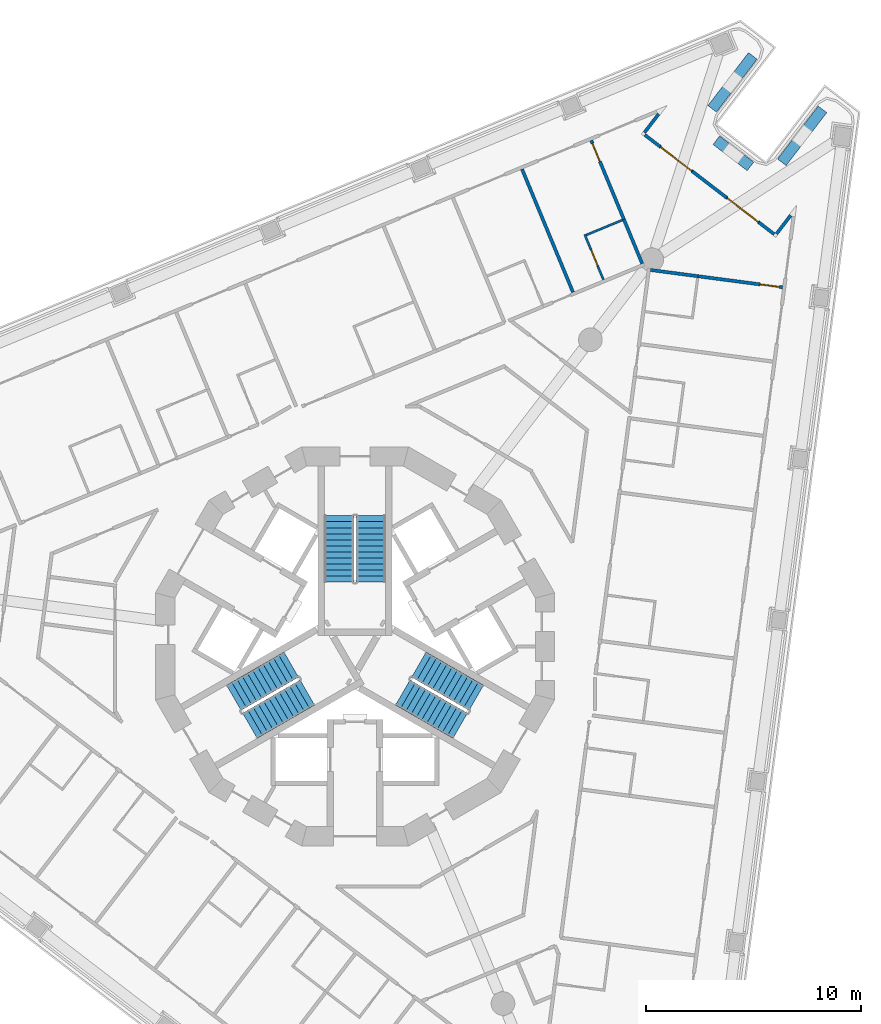
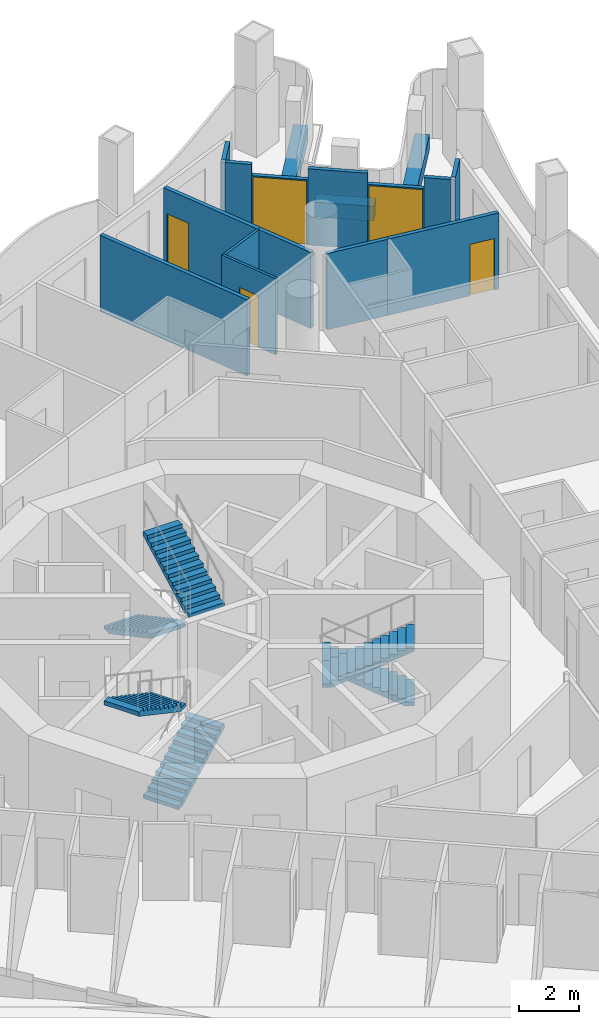
# One storey, part 10 of 17: 17 walls, 6 stair flights, 5 doors, 5 openings, 3 elements without a shape of their own.
"""IFC4 building model written with IfcOpenShell, lengths in metres."""

from ifc_helpers import new_model, si_unit, direction, frame, frame_2d, origin, place, context, subcontext, project, spatial, polyline, rectangle, outline, extrude, material, layer, layer_set, type_object, element, fill, aggregate, save


model = new_model("IFC4")

# Units and contexts
model_context = context("Model", 3, precision=1e-05, world=origin(), true_north=direction((0.0, 1.0)))
body_context = subcontext(model_context, "Body", "Model", "MODEL_VIEW")
ifc_project = project(units=[si_unit("LENGTHUNIT", "METRE"), si_unit("AREAUNIT", "SQUARE_METRE"), si_unit("VOLUMEUNIT", "CUBIC_METRE"), si_unit("PLANEANGLEUNIT", "RADIAN"), si_unit("MASSUNIT", "GRAM", prefix="KILO")], contexts=[model_context])

# Site, building, storey
site_placement = place(None, origin())
site = spatial("IfcSite", under=ifc_project, at=site_placement, CompositionType="ELEMENT")
building_placement = place(site_placement, origin())
building = spatial("IfcBuilding", under=site, at=building_placement, Name="Trine Commons Tower", CompositionType="ELEMENT")
storey_placement = place(building_placement, frame((0.0, 0.0, 153.0)))
storey = spatial("IfcBuildingStorey", under=building, at=storey_placement, Name="L39", CompositionType="ELEMENT", Elevation=153.0)

# Walls
ifc_material_1 = material(Name="Aluminium-framed insulated wall panel", Category="aluminium")
ifc_layer_1 = layer(ifc_material_1, 0.14990234375)
ifc_layer_set_1 = layer_set([ifc_layer_1], Name="Aluminium-framed insulated wall panel")
wall_type_1 = type_object("IfcWallType", Name="Glazed frame wall 150, EI 60", PredefinedType="SOLIDWALL", material=ifc_layer_set_1)
wall_1_placement = place(storey_placement, frame((94.193115234375, 87.345703125, 0.0), z_axis=(0.0, 0.0, 1.0), x_axis=(-0.608762998157, -0.793352136239, 0.0)))
element("IfcWall", 1, at=wall_1_placement, inside=storey, type_object=wall_type_1, Name="Glazed frame wall R5", PredefinedType="SOLIDWALL", context=body_context, shape_type="SweptSolid", body=[
    extrude(outline(polyline([(0.1494140625, 0.074951171875), (0.1494140625, -0.074951171875), (1.235107421875, -0.074951171875), (1.235107421875, 0.074951171875), (0.1494140625, 0.074951171875)])), origin(), (0.0, 0.0, 1.0), 3.10009765625),
])
wall_2_placement = place(storey_placement, frame((93.36767578125, 86.32763671875, 0.0), z_axis=(0.0, 0.0, 1.0), x_axis=(0.793331259853, -0.608790203715, 0.0)))
element("IfcWall", 2, at=wall_2_placement, inside=storey, type_object=wall_type_1, Name="Glazed frame wall P2.1", PredefinedType="SOLIDWALL", context=body_context, shape_type="SweptSolid", body=[
    extrude(outline(polyline([(0.110107421875, -0.074951171875), (1.0, -0.074951171875), (1.0, 0.074951171875), (0.110107421875, 0.074951171875), (0.110107421875, -0.074951171875)])), origin(), (0.0, 0.0, 1.0), 3.10009765625),
])

# Wall, opening, door
wall_3_placement = place(storey_placement, frame((94.1611328125, 85.71875, 0.0), z_axis=(0.0, 0.0, 1.0), x_axis=(0.793382932281, -0.608722862036, 0.0)))
wall_3 = element("IfcWall", 3, at=wall_3_placement, inside=storey, type_object=wall_type_1, Name="Glazed frame wall P2.2", PredefinedType="SOLIDWALL", context=body_context, shape_type="SweptSolid", body=[
    extrude(outline(polyline([(0.0, -0.074951171875), (1.89990234375, -0.074951171875), (1.89990234375, 0.074951171875), (0.0, 0.074951171875), (0.0, -0.074951171875)])), origin(), (0.0, 0.0, 1.0), 2.64990234375),
])
opening_1_placement = place(wall_3_placement, frame((0.050048828125, 0.0, 0.0)))
opening_1 = element("IfcOpeningElement", 4, at=opening_1_placement, cuts=wall_3, Name="Opening BD-4P2-01", PredefinedType="OPENING", context=body_context, shape_type="SweptSolid", body=[
    extrude(rectangle(XDim=1.800048828125, YDim=2.60009765625, at=frame_2d((0.89990234375, 1.300048828125))), frame((0.0, 0.0849609375, 0.0), z_axis=(0.0, -1.0, 0.0), x_axis=(1.0, 0.0, 0.0)), (0.0, 0.0, 1.0), 0.169921875),
])
ifc_material_2 = material(Name="Anodised aluminium frame with double glazing", Category="aluminium")
door_type_1 = type_object("IfcDoorType", Name="Sliding loggia door 1800x2600", OperationType="SLIDING_TO_LEFT", PredefinedType="DOOR", material=ifc_material_2)
door_1_placement = place(opening_1_placement, origin())
door_1 = element("IfcDoor", 5, at=door_1_placement, inside=storey, type_object=door_type_1, Name="Loggia door P2 1", OperationType="SLIDING_TO_LEFT", OverallHeight=2.60009765625, OverallWidth=1.800048828125, PredefinedType="DOOR", context=body_context, shape_type="SweptSolid", body=[
    extrude(rectangle(XDim=1.800048828125, YDim=2.60009765625, at=frame_2d((0.89990234375, 1.300048828125))), frame((0.0, 0.02490234375, 0.0), z_axis=(0.0, -1.0, 0.0), x_axis=(1.0, 0.0, 0.0)), (0.0, 0.0, 1.0), 0.050048828125),
])
fill(opening_1, door_1)

# Wall
wall_4_placement = place(storey_placement, frame((95.66845703125, 84.562255859375, 0.0), z_axis=(0.0, 0.0, 1.0), x_axis=(0.793344974033, -0.608772331974, 0.0)))
element("IfcWall", 6, at=wall_4_placement, inside=storey, type_object=wall_type_1, Name="Glazed frame wall P2.3", PredefinedType="SOLIDWALL", context=body_context, shape_type="SweptSolid", body=[
    extrude(outline(polyline([(0.0, -0.074951171875), (2.0, -0.074951171875), (2.0, 0.074951171875), (0.0, 0.074951171875), (0.0, -0.074951171875)])), origin(), (0.0, 0.0, 1.0), 3.10009765625),
])

# Wall, opening, door
wall_5_placement = place(storey_placement, frame((97.255126953125, 83.3447265625, 0.0), z_axis=(0.0, 0.0, 1.0), x_axis=(0.793320872023, -0.608803740143, 0.0)))
wall_5 = element("IfcWall", 7, at=wall_5_placement, inside=storey, type_object=wall_type_1, Name="Glazed frame wall P2.4", PredefinedType="SOLIDWALL", context=body_context, shape_type="SweptSolid", body=[
    extrude(outline(polyline([(0.0, -0.074951171875), (1.89990234375, -0.074951171875), (1.89990234375, 0.074951171875), (0.0, 0.074951171875), (0.0, -0.074951171875)])), origin(), (0.0, 0.0, 1.0), 2.64990234375),
])
opening_2_placement = place(wall_5_placement, frame((0.050048828125, 0.0, 0.0)))
opening_2 = element("IfcOpeningElement", 8, at=opening_2_placement, cuts=wall_5, Name="Opening BD-4P2-02", PredefinedType="OPENING", context=body_context, shape_type="SweptSolid", body=[
    extrude(rectangle(XDim=1.800048828125, YDim=2.60009765625, at=frame_2d((0.89990234375, 1.300048828125))), frame((0.0, 0.0849609375, 0.0), z_axis=(0.0, -1.0, 0.0), x_axis=(1.0, 0.0, 0.0)), (0.0, 0.0, 1.0), 0.169921875),
])
door_2_placement = place(opening_2_placement, origin())
door_2 = element("IfcDoor", 9, at=door_2_placement, inside=storey, type_object=door_type_1, Name="Loggia door P2 2", OperationType="SLIDING_TO_LEFT", OverallHeight=2.60009765625, OverallWidth=1.800048828125, PredefinedType="DOOR", context=body_context, shape_type="SweptSolid", body=[
    extrude(rectangle(XDim=1.800048828125, YDim=2.60009765625, at=frame_2d((0.89990234375, 1.300048828125))), frame((0.0, 0.02490234375, 0.0), z_axis=(0.0, -1.0, 0.0), x_axis=(1.0, 0.0, 0.0)), (0.0, 0.0, 1.0), 0.050048828125),
])
fill(opening_2, door_2)

# Walls
wall_6_placement = place(storey_placement, frame((98.762451171875, 82.18798828125, 0.0), z_axis=(0.0, 0.0, 1.0), x_axis=(0.793449156962, -0.60863653794, 0.0)))
element("IfcWall", 10, at=wall_6_placement, inside=storey, type_object=wall_type_1, Name="Glazed frame wall P2.5", PredefinedType="SOLIDWALL", context=body_context, shape_type="SweptSolid", body=[
    extrude(outline(polyline([(0.889892578125, 0.074951171875), (0.0, 0.074951171875), (0.0, -0.074951171875), (0.889892578125, -0.074951171875), (0.889892578125, 0.074951171875)])), origin(), (0.0, 0.0, 1.0), 3.10009765625),
])
wall_7_placement = place(storey_placement, frame((99.5068359375, 81.57275390625, 0.0), z_axis=(0.0, 0.0, 1.0), x_axis=(0.608762998157, 0.793352136239, 0.0)))
element("IfcWall", 11, at=wall_7_placement, inside=storey, type_object=wall_type_1, Name="Glazed frame wall R7", PredefinedType="SOLIDWALL", context=body_context, shape_type="SweptSolid", body=[
    extrude(outline(polyline([(0.110107421875, 0.074951171875), (0.110107421875, -0.074951171875), (1.19580078125, -0.074951171875), (1.19580078125, 0.074951171875), (0.110107421875, 0.074951171875)])), origin(), (0.0, 0.0, 1.0), 3.10009765625),
])
ifc_material_3 = material(Name="Planter trough, precast concrete C40/50", Category="concrete")
ifc_layer_2 = layer(ifc_material_3, 0.5)
ifc_layer_set_2 = layer_set([ifc_layer_2], Name="Planter trough, precast concrete C40/50")
wall_type_2 = type_object("IfcWallType", Name="Planter trough 500x600", PredefinedType="PARAPET", material=ifc_layer_set_2)
wall_8_placement = place(storey_placement, frame((98.474609375, 89.927490234375, 0.0), z_axis=(0.0, 0.0, 1.0), x_axis=(-0.608796883945, -0.793326133503, 0.0)))
element("IfcWall", 12, at=wall_8_placement, inside=storey, type_object=wall_type_2, Name="Planter 4", PredefinedType="PARAPET", context=body_context, shape_type="SweptSolid", body=[
    extrude(rectangle(XDim=3.099853515625, YDim=0.5, at=frame_2d((1.5498046875, 0.0))), origin(), (0.0, 0.0, 1.0), 0.60009765625),
])
wall_9_placement = place(storey_placement, frame((96.779296875, 86.010009765625, 0.0), z_axis=(0.0, 0.0, 1.0), x_axis=(0.793390207748, -0.608713379391, 0.0)))
element("IfcWall", 13, at=wall_9_placement, inside=storey, type_object=wall_type_2, Name="Planter 5", PredefinedType="PARAPET", context=body_context, shape_type="SweptSolid", body=[
    extrude(rectangle(XDim=2.000244140625, YDim=0.5, at=frame_2d((1.0, 0.0))), origin(), (0.0, 0.0, 1.0), 0.60009765625),
])
wall_10_placement = place(storey_placement, frame((99.82421875, 84.984619140625, 0.0), z_axis=(0.0, 0.0, 1.0), x_axis=(0.608796883945, 0.793326133503, 0.0)))
element("IfcWall", 14, at=wall_10_placement, inside=storey, type_object=wall_type_2, Name="Planter 6", PredefinedType="PARAPET", context=body_context, shape_type="SweptSolid", body=[
    extrude(rectangle(XDim=3.099853515625, YDim=0.5, at=frame_2d((1.5498046875, 0.0))), origin(), (0.0, 0.0, 1.0), 0.60009765625),
])
ifc_material_4 = material(Name="Gypsum plasterboard on steel stud", Category="steel")
ifc_layer_3 = layer(ifc_material_4, 0.14990234375)
ifc_layer_set_3 = layer_set([ifc_layer_3], Name="Gypsum plasterboard on steel stud")
wall_type_3 = type_object("IfcWallType", Name="Unit and corridor wall 150 mm, EI 60", PredefinedType="PARTITIONING", material=ifc_layer_set_3)
wall_11_placement = place(storey_placement, frame((87.75537109375, 84.66796875, 0.0), z_axis=(0.0, 0.0, 1.0), x_axis=(0.382666303598, -0.923886627293, 0.0)))
element("IfcWall", 15, at=wall_11_placement, inside=storey, type_object=wall_type_3, Name="Partition 100", PredefinedType="PARTITIONING", context=body_context, shape_type="SweptSolid", body=[
    extrude(rectangle(XDim=6.193115234375, YDim=0.14990234375, at=frame_2d((3.0966796875, 0.0))), origin(), (0.0, 0.0, 1.0), 3.10009765625),
])

# Wall, opening, door
wall_12_placement = place(storey_placement, frame((90.96826171875, 85.9990234375, 0.0), z_axis=(0.0, 0.0, 1.0), x_axis=(0.382692977479, -0.923875578738, 0.0)))
wall_12 = element("IfcWall", 16, at=wall_12_placement, inside=storey, type_object=wall_type_3, Name="Partition 122", PredefinedType="PARTITIONING", context=body_context, shape_type="SweptSolid", body=[
    extrude(rectangle(XDim=4.023681640625, YDim=0.14990234375, at=frame_2d((2.01171875, 0.0))), origin(), (0.0, 0.0, 1.0), 3.10009765625),
])
opening_3_placement = place(wall_12_placement, frame((0.14990234375, 0.0, 0.0)))
opening_3 = element("IfcOpeningElement", 17, at=opening_3_placement, cuts=wall_12, Name="Opening D-4C13", PredefinedType="OPENING", context=body_context, shape_type="SweptSolid", body=[
    extrude(rectangle(XDim=0.89990234375, YDim=2.10009765625, at=frame_2d((0.449951171875, 1.050048828125))), frame((0.0, 0.0849609375, 0.0), z_axis=(0.0, -1.0, 0.0), x_axis=(1.0, 0.0, 0.0)), (0.0, 0.0, 1.0), 0.169921875),
])
ifc_material_5 = material(Name="Timber fire door set", Category="wood")
door_type_2 = type_object("IfcDoorType", Name="Bedroom door 900 x 2100, FD30S", OperationType="NOTDEFINED", PredefinedType="DOOR", material=ifc_material_5)
door_3_placement = place(opening_3_placement, frame((0.89990234375, 0.0, 0.0), z_axis=(0.0, 0.0, 1.0), x_axis=(-1.0, 0.0, 0.0)))
door_3 = element("IfcDoor", 18, at=door_3_placement, inside=storey, type_object=door_type_2, Name="Door D-4C13", OperationType="SINGLE_SWING_RIGHT", OverallHeight=2.10009765625, OverallWidth=0.89990234375, PredefinedType="DOOR", context=body_context, shape_type="SweptSolid", body=[
    extrude(rectangle(XDim=0.89990234375, YDim=2.10009765625, at=frame_2d((0.449951171875, 1.050048828125))), frame((0.0, 0.02490234375, 0.0), z_axis=(0.0, -1.0, 0.0), x_axis=(1.0, 0.0, 0.0)), (0.0, 0.0, 1.0), 0.050048828125),
])
fill(opening_3, door_3)

# Walls
wall_13_placement = place(storey_placement, frame((92.486083984375, 82.3359375, 0.0), z_axis=(0.0, 0.0, 1.0), x_axis=(0.382374366103, -0.924007491391, 0.0)))
element("IfcWall", 19, at=wall_13_placement, inside=storey, type_object=wall_type_3, Name="Partition 135", PredefinedType="PARTITIONING", context=body_context, shape_type="SweptSolid", body=[
    extrude(rectangle(XDim=2.22900390625, YDim=0.14990234375, at=frame_2d((1.114501953125, 0.0))), origin(), (0.0, 0.0, 1.0), 3.10009765625),
])
wall_14_placement = place(storey_placement, frame((93.718505859375, 79.984130859375, 0.0), z_axis=(0.0, 0.0, 1.0), x_axis=(0.991444602233, -0.130528160577, 0.0)))
element("IfcWall", 20, at=wall_14_placement, inside=storey, type_object=wall_type_3, Name="Partition 146", PredefinedType="PARTITIONING", context=body_context, shape_type="SweptSolid", body=[
    extrude(rectangle(XDim=2.2294921875, YDim=0.14990234375, at=frame_2d((1.11474609375, 0.0))), origin(), (0.0, 0.0, 1.0), 3.10009765625),
])

# Wall, opening, door
wall_15_placement = place(storey_placement, frame((95.871337890625, 79.700439453125, 0.0), z_axis=(0.0, 0.0, 1.0), x_axis=(0.991472672227, -0.130314773632, 0.0)))
wall_15 = element("IfcWall", 21, at=wall_15_placement, inside=storey, type_object=wall_type_3, Name="Partition 151", PredefinedType="PARTITIONING", context=body_context, shape_type="SweptSolid", body=[
    extrude(rectangle(XDim=4.022216796875, YDim=0.14990234375, at=frame_2d((2.01123046875, 0.0))), origin(), (0.0, 0.0, 1.0), 3.10009765625),
])
opening_4_placement = place(wall_15_placement, frame((2.972412109375, 0.0, 0.0)))
opening_4 = element("IfcOpeningElement", 22, at=opening_4_placement, cuts=wall_15, Name="Opening D-4C14", PredefinedType="OPENING", context=body_context, shape_type="SweptSolid", body=[
    extrude(rectangle(XDim=0.89990234375, YDim=2.10009765625, at=frame_2d((0.449951171875, 1.050048828125))), frame((0.0, 0.0849609375, 0.0), z_axis=(0.0, -1.0, 0.0), x_axis=(1.0, 0.0, 0.0)), (0.0, 0.0, 1.0), 0.169921875),
])
door_4_placement = place(opening_4_placement, frame((0.89990234375, 0.0, 0.0), z_axis=(0.0, 0.0, 1.0), x_axis=(-1.0, 0.0, 0.0)))
door_4 = element("IfcDoor", 23, at=door_4_placement, inside=storey, type_object=door_type_2, Name="Door D-4C14", OperationType="SINGLE_SWING_LEFT", OverallHeight=2.10009765625, OverallWidth=0.89990234375, PredefinedType="DOOR", context=body_context, shape_type="SweptSolid", body=[
    extrude(rectangle(XDim=0.89990234375, YDim=2.10009765625, at=frame_2d((0.449951171875, 1.050048828125))), frame((0.0, 0.02490234375, 0.0), z_axis=(0.0, -1.0, 0.0), x_axis=(1.0, 0.0, 0.0)), (0.0, 0.0, 1.0), 0.050048828125),
])
fill(opening_4, door_4)

ifc_layer_4 = layer(ifc_material_4, 0.10009765625)
ifc_layer_set_4 = layer_set([ifc_layer_4], Name="Gypsum plasterboard on steel stud")
wall_type_4 = type_object("IfcWallType", Name="Unit partition 100 mm, no rating", PredefinedType="PARTITIONING", material=ifc_layer_set_4)
wall_16_placement = place(storey_placement, frame((90.666015625, 81.632080078125, 0.0), z_axis=(0.0, 0.0, 1.0), x_axis=(0.382595073996, -0.923916126796, 0.0)))
wall_16 = element("IfcWall", 24, at=wall_16_placement, inside=storey, type_object=wall_type_4, Name="Partition 118", PredefinedType="PARTITIONING", context=body_context, shape_type="SweptSolid", body=[
    extrude(rectangle(XDim=2.27490234375, YDim=0.10009765625, at=frame_2d((1.137451171875, 0.0))), origin(), (0.0, 0.0, 1.0), 3.10009765625),
])
opening_5_placement = place(wall_16_placement, frame((0.7626953125, 0.0, 0.0)))
opening_5 = element("IfcOpeningElement", 25, at=opening_5_placement, cuts=wall_16, Name="Opening D-4C45", PredefinedType="OPENING", context=body_context, shape_type="SweptSolid", body=[
    extrude(rectangle(XDim=0.800048828125, YDim=2.10009765625, at=frame_2d((0.39990234375, 1.050048828125))), frame((0.0, 0.06005859375, 0.0), z_axis=(0.0, -1.0, 0.0), x_axis=(1.0, 0.0, 0.0)), (0.0, 0.0, 1.0), 0.1201171875),
])
ifc_material_6 = material(Name="Painted timber", Category="wood")
door_type_3 = type_object("IfcDoorType", Name="Internal door 800 x 2100, NOT RATED", OperationType="NOTDEFINED", PredefinedType="DOOR", material=ifc_material_6)
door_5_placement = place(opening_5_placement, frame((0.800048828125, 0.0, 0.0), z_axis=(0.0, 0.0, 1.0), x_axis=(-1.0, 0.0, 0.0)))
door_5 = element("IfcDoor", 26, at=door_5_placement, inside=storey, type_object=door_type_3, Name="Door D-4C45", OperationType="SINGLE_SWING_LEFT", OverallHeight=2.10009765625, OverallWidth=0.800048828125, PredefinedType="DOOR", context=body_context, shape_type="SweptSolid", body=[
    extrude(rectangle(XDim=0.800048828125, YDim=2.10009765625, at=frame_2d((0.39990234375, 1.050048828125))), frame((0.0, 0.02490234375, 0.0), z_axis=(0.0, -1.0, 0.0), x_axis=(1.0, 0.0, 0.0)), (0.0, 0.0, 1.0), 0.050048828125),
])
fill(opening_5, door_5)

# Wall
wall_17_placement = place(storey_placement, frame((90.731201171875, 81.60498046875, 0.0), z_axis=(0.0, 0.0, 1.0), x_axis=(0.923945120737, 0.382525049986, 0.0)))
element("IfcWall", 27, at=wall_17_placement, inside=storey, type_object=wall_type_4, Name="Partition 119", PredefinedType="PARTITIONING", context=body_context, shape_type="SweptSolid", body=[
    extrude(rectangle(XDim=1.825439453125, YDim=0.10009765625, at=frame_2d((0.91259765625, 0.0))), origin(), (0.0, 0.0, 1.0), 3.10009765625),
])

# Stair, stair flights
ifc_material_7 = material(Name="Concrete C50/60", Category="concrete")
stair_type = type_object("IfcStairType", Name="Exit stair, dog-leg, 24 risers of 150 mm", PredefinedType="HALF_TURN_STAIR", material=ifc_material_7)
stair_1_placement = place(storey_placement, origin())
stair_1 = element("IfcStair", 28, at=stair_1_placement, inside=storey, type_object=stair_type, Name="L39 Exit stair ST1B", PredefinedType="HALF_TURN_STAIR")
stair_flight_type = type_object("IfcStairFlightType", Name="Stair flight, 1350 wide, 12 risers of 150 mm", PredefinedType="STRAIGHT", material=ifc_material_7)
stair_flight_1_placement = place(storey_placement, frame((79.25, 68.570556640625, 0.0), z_axis=(0.0, 0.0, 1.0), x_axis=(0.0, -1.0, 0.0)))
stair_flight_1 = element("IfcStairFlight", 29, at=stair_flight_1_placement, type_object=stair_flight_type, Name="ST1B flight 1", NumberOfRisers=12, NumberOfTreads=11, PredefinedType="STRAIGHT", RiserHeight=0.15, TreadLength=0.28, context=body_context, shape_type="SweptSolid", body=[
    extrude(outline(polyline([(0.0, 0.0), (0.0, 0.14990234375), (0.280029296875, 0.14990234375), (0.280029296875, 0.300048828125), (0.56005859375, 0.300048828125), (0.56005859375, 0.449951171875), (0.840087890625, 0.449951171875), (0.840087890625, 0.60009765625), (1.1201171875, 0.60009765625), (1.1201171875, 0.75), (1.39990234375, 0.75), (1.39990234375, 0.89990234375), (1.679931640625, 0.89990234375), (1.679931640625, 1.050048828125), (1.9599609375, 1.050048828125), (1.9599609375, 1.199951171875), (2.239990234375, 1.199951171875), (2.239990234375, 1.35009765625), (2.52001953125, 1.35009765625), (2.52001953125, 1.5), (2.800048828125, 1.5), (2.800048828125, 1.64990234375), (3.080078125, 1.64990234375), (3.080078125, 1.800048828125), (3.080078125, 1.47998046875), (0.3173828125, 0.0), (0.0, 0.0)])), frame((0.0, 0.675048828125, 0.0), z_axis=(0.0, -1.0, 0.0), x_axis=(1.0, 0.0, 0.0)), (0.0, 0.0, 1.0), 1.35009765625),
])
stair_flight_2_placement = place(storey_placement, frame((80.75, 65.490478515625, 1.800048828125), z_axis=(0.0, 0.0, 1.0), x_axis=(0.0, 1.0, 0.0)))
stair_flight_2 = element("IfcStairFlight", 30, at=stair_flight_2_placement, type_object=stair_flight_type, Name="ST1B flight 2", NumberOfRisers=12, NumberOfTreads=11, PredefinedType="STRAIGHT", RiserHeight=0.15, TreadLength=0.28, context=body_context, shape_type="SweptSolid", body=[
    extrude(outline(polyline([(0.0, 0.0), (0.0, 0.14990234375), (0.280029296875, 0.14990234375), (0.280029296875, 0.300048828125), (0.56005859375, 0.300048828125), (0.56005859375, 0.449951171875), (0.840087890625, 0.449951171875), (0.840087890625, 0.60009765625), (1.1201171875, 0.60009765625), (1.1201171875, 0.75), (1.39990234375, 0.75), (1.39990234375, 0.89990234375), (1.679931640625, 0.89990234375), (1.679931640625, 1.050048828125), (1.9599609375, 1.050048828125), (1.9599609375, 1.199951171875), (2.239990234375, 1.199951171875), (2.239990234375, 1.35009765625), (2.52001953125, 1.35009765625), (2.52001953125, 1.5), (2.800048828125, 1.5), (2.800048828125, 1.64990234375), (3.080078125, 1.64990234375), (3.080078125, 1.800048828125), (3.080078125, 1.47998046875), (0.3173828125, 0.0), (0.0, 0.0)])), frame((0.0, 0.675048828125, 0.0), z_axis=(0.0, -1.0, 0.0), x_axis=(1.0, 0.0, 0.0)), (0.0, 0.0, 1.0), 1.35009765625),
])
aggregate(stair_1, [stair_flight_1, stair_flight_2])

stair_2_placement = place(storey_placement, origin())
stair_2 = element("IfcStair", 31, at=stair_2_placement, inside=storey, type_object=stair_type, Name="L39 Exit stair ST2B", PredefinedType="HALF_TURN_STAIR")
stair_flight_3_placement = place(storey_placement, frame((75.11767578125, 58.815185546875, 0.0), z_axis=(0.0, 0.0, 1.0), x_axis=(0.866025403784, 0.5, 0.0)))
stair_flight_3 = element("IfcStairFlight", 32, at=stair_flight_3_placement, type_object=stair_flight_type, Name="ST2B flight 1", NumberOfRisers=12, NumberOfTreads=11, PredefinedType="STRAIGHT", RiserHeight=0.15, TreadLength=0.28, context=body_context, shape_type="SweptSolid", body=[
    extrude(outline(polyline([(0.0, 0.0), (0.0, 0.14990234375), (0.280029296875, 0.14990234375), (0.280029296875, 0.300048828125), (0.56005859375, 0.300048828125), (0.56005859375, 0.449951171875), (0.840087890625, 0.449951171875), (0.840087890625, 0.60009765625), (1.1201171875, 0.60009765625), (1.1201171875, 0.75), (1.39990234375, 0.75), (1.39990234375, 0.89990234375), (1.679931640625, 0.89990234375), (1.679931640625, 1.050048828125), (1.9599609375, 1.050048828125), (1.9599609375, 1.199951171875), (2.239990234375, 1.199951171875), (2.239990234375, 1.35009765625), (2.52001953125, 1.35009765625), (2.52001953125, 1.5), (2.800048828125, 1.5), (2.800048828125, 1.64990234375), (3.080078125, 1.64990234375), (3.080078125, 1.800048828125), (3.080078125, 1.47998046875), (0.3173828125, 0.0), (0.0, 0.0)])), frame((0.0, 0.675048828125, 0.0), z_axis=(0.0, -1.0, 0.0), x_axis=(1.0, 0.0, 0.0)), (0.0, 0.0, 1.0), 1.35009765625),
])
stair_flight_4_placement = place(storey_placement, frame((77.03515625, 61.654296875, 1.800048828125), z_axis=(0.0, 0.0, 1.0), x_axis=(-0.866025403784, -0.5, 0.0)))
stair_flight_4 = element("IfcStairFlight", 33, at=stair_flight_4_placement, type_object=stair_flight_type, Name="ST2B flight 2", NumberOfRisers=12, NumberOfTreads=11, PredefinedType="STRAIGHT", RiserHeight=0.15, TreadLength=0.28, context=body_context, shape_type="SweptSolid", body=[
    extrude(outline(polyline([(0.0, 0.0), (0.0, 0.14990234375), (0.280029296875, 0.14990234375), (0.280029296875, 0.300048828125), (0.56005859375, 0.300048828125), (0.56005859375, 0.449951171875), (0.840087890625, 0.449951171875), (0.840087890625, 0.60009765625), (1.1201171875, 0.60009765625), (1.1201171875, 0.75), (1.39990234375, 0.75), (1.39990234375, 0.89990234375), (1.679931640625, 0.89990234375), (1.679931640625, 1.050048828125), (1.9599609375, 1.050048828125), (1.9599609375, 1.199951171875), (2.239990234375, 1.199951171875), (2.239990234375, 1.35009765625), (2.52001953125, 1.35009765625), (2.52001953125, 1.5), (2.800048828125, 1.5), (2.800048828125, 1.64990234375), (3.080078125, 1.64990234375), (3.080078125, 1.800048828125), (3.080078125, 1.47998046875), (0.3173828125, 0.0), (0.0, 0.0)])), frame((0.0, 0.675048828125, 0.0), z_axis=(0.0, -1.0, 0.0), x_axis=(1.0, 0.0, 0.0)), (0.0, 0.0, 1.0), 1.35009765625),
])
aggregate(stair_2, [stair_flight_3, stair_flight_4])

stair_3_placement = place(storey_placement, origin())
stair_3 = element("IfcStair", 34, at=stair_3_placement, inside=storey, type_object=stair_type, Name="L39 Exit stair ST3B", PredefinedType="HALF_TURN_STAIR")
stair_flight_5_placement = place(storey_placement, frame((85.63232421875, 60.1142578125, 0.0), z_axis=(0.0, 0.0, 1.0), x_axis=(-0.866025403784, 0.5, 0.0)))
stair_flight_5 = element("IfcStairFlight", 35, at=stair_flight_5_placement, type_object=stair_flight_type, Name="ST3B flight 1", NumberOfRisers=12, NumberOfTreads=11, PredefinedType="STRAIGHT", RiserHeight=0.15, TreadLength=0.28, context=body_context, shape_type="SweptSolid", body=[
    extrude(outline(polyline([(0.0, 0.0), (0.0, 0.14990234375), (0.280029296875, 0.14990234375), (0.280029296875, 0.300048828125), (0.56005859375, 0.300048828125), (0.56005859375, 0.449951171875), (0.840087890625, 0.449951171875), (0.840087890625, 0.60009765625), (1.1201171875, 0.60009765625), (1.1201171875, 0.75), (1.39990234375, 0.75), (1.39990234375, 0.89990234375), (1.679931640625, 0.89990234375), (1.679931640625, 1.050048828125), (1.9599609375, 1.050048828125), (1.9599609375, 1.199951171875), (2.239990234375, 1.199951171875), (2.239990234375, 1.35009765625), (2.52001953125, 1.35009765625), (2.52001953125, 1.5), (2.800048828125, 1.5), (2.800048828125, 1.64990234375), (3.080078125, 1.64990234375), (3.080078125, 1.800048828125), (3.080078125, 1.47998046875), (0.3173828125, 0.0), (0.0, 0.0)])), frame((0.0, 0.675048828125, 0.0), z_axis=(0.0, -1.0, 0.0), x_axis=(1.0, 0.0, 0.0)), (0.0, 0.0, 1.0), 1.35009765625),
])
stair_flight_6_placement = place(storey_placement, frame((82.21484375, 60.355224609375, 1.800048828125), z_axis=(0.0, 0.0, 1.0), x_axis=(0.866025403784, -0.5, 0.0)))
stair_flight_6 = element("IfcStairFlight", 36, at=stair_flight_6_placement, type_object=stair_flight_type, Name="ST3B flight 2", NumberOfRisers=12, NumberOfTreads=11, PredefinedType="STRAIGHT", RiserHeight=0.15, TreadLength=0.28, context=body_context, shape_type="SweptSolid", body=[
    extrude(outline(polyline([(0.0, 0.0), (0.0, 0.14990234375), (0.280029296875, 0.14990234375), (0.280029296875, 0.300048828125), (0.56005859375, 0.300048828125), (0.56005859375, 0.449951171875), (0.840087890625, 0.449951171875), (0.840087890625, 0.60009765625), (1.1201171875, 0.60009765625), (1.1201171875, 0.75), (1.39990234375, 0.75), (1.39990234375, 0.89990234375), (1.679931640625, 0.89990234375), (1.679931640625, 1.050048828125), (1.9599609375, 1.050048828125), (1.9599609375, 1.199951171875), (2.239990234375, 1.199951171875), (2.239990234375, 1.35009765625), (2.52001953125, 1.35009765625), (2.52001953125, 1.5), (2.800048828125, 1.5), (2.800048828125, 1.64990234375), (3.080078125, 1.64990234375), (3.080078125, 1.800048828125), (3.080078125, 1.47998046875), (0.3173828125, 0.0), (0.0, 0.0)])), frame((0.0, 0.675048828125, 0.0), z_axis=(0.0, -1.0, 0.0), x_axis=(1.0, 0.0, 0.0)), (0.0, 0.0, 1.0), 1.35009765625),
])
aggregate(stair_3, [stair_flight_5, stair_flight_6])

save(model, "model.ifc")
